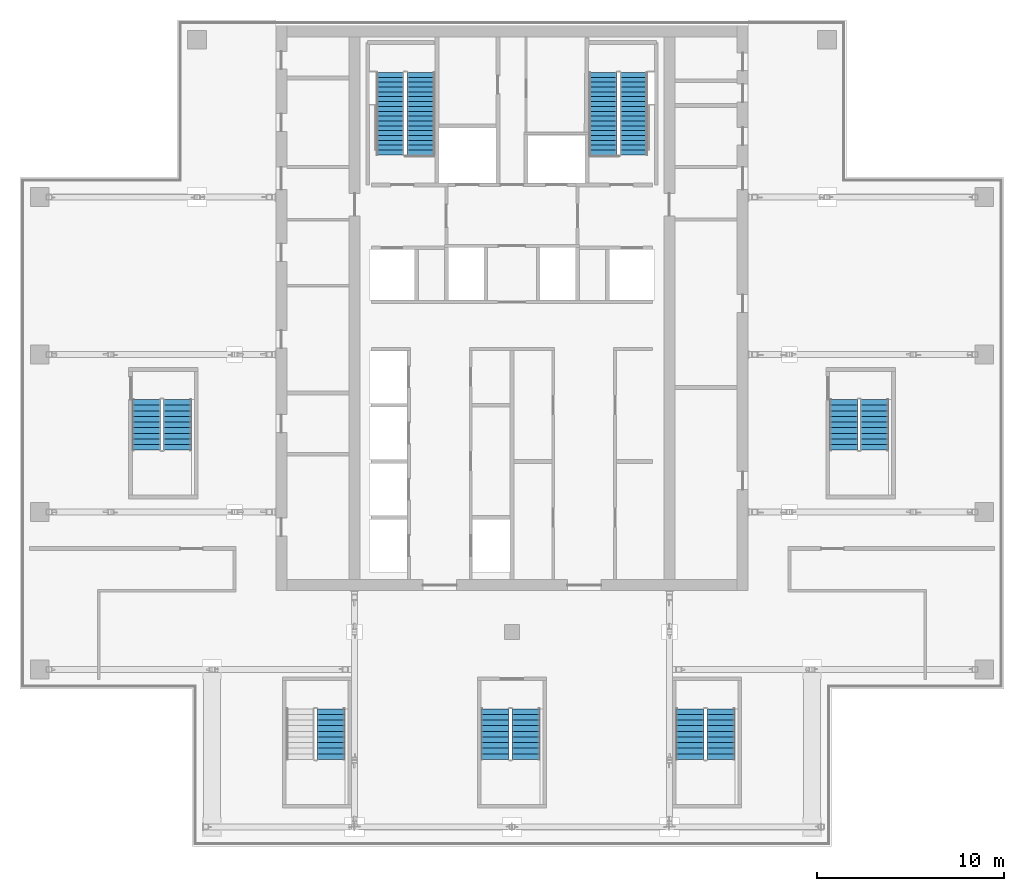
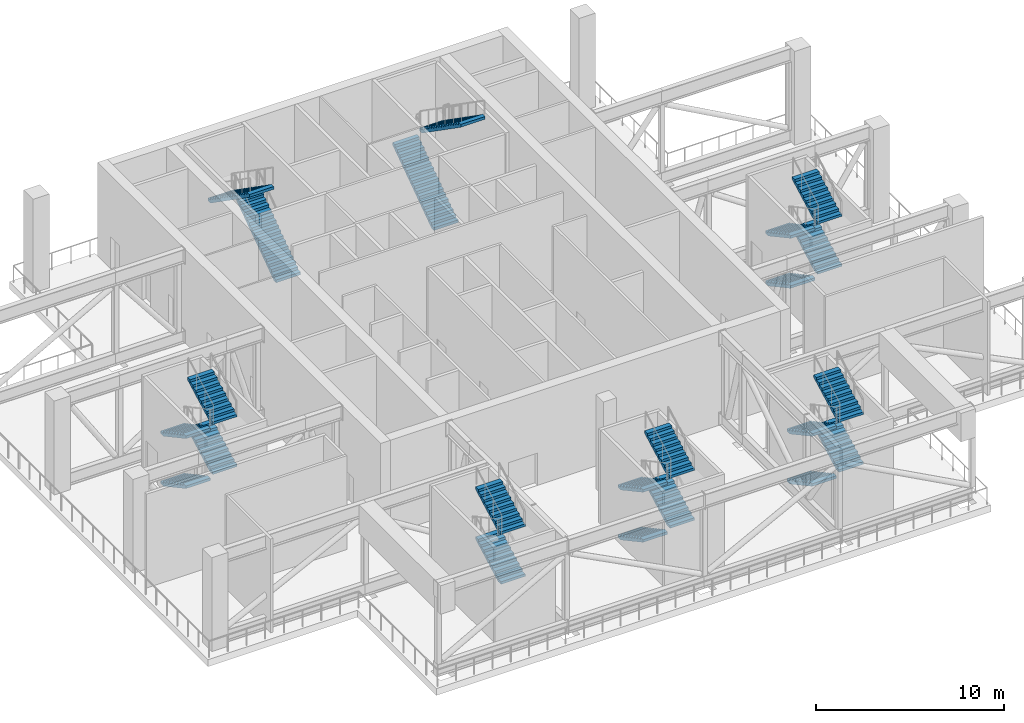
# One storey, part 20 of 24: 22 stair flights, 7 elements without a shape of their own.
"""IFC4 building model written with IfcOpenShell, lengths in metres."""

from ifc_helpers import new_model, si_unit, direction, frame, origin, place, context, subcontext, project, spatial, polyline, outline, extrude, material, type_object, element, aggregate, save


model = new_model("IFC4")

# Units and contexts
model_context = context("Model", 3, precision=1e-05, world=origin(), true_north=direction((0.0, 1.0)))
body_context = subcontext(model_context, "Body", "Model", "MODEL_VIEW")
ifc_project = project(units=[si_unit("LENGTHUNIT", "METRE"), si_unit("AREAUNIT", "SQUARE_METRE"), si_unit("VOLUMEUNIT", "CUBIC_METRE"), si_unit("PLANEANGLEUNIT", "RADIAN"), si_unit("MASSUNIT", "GRAM", prefix="KILO")], contexts=[model_context])

# Site, building, storey
site_placement = place(None, origin())
site = spatial("IfcSite", under=ifc_project, at=site_placement, CompositionType="ELEMENT")
building_placement = place(site_placement, origin())
building = spatial("IfcBuilding", under=site, at=building_placement, Name="Vermilion Ogive Tower", CompositionType="ELEMENT")
storey_placement = place(building_placement, frame((0.0, 0.0, 216.949951171875)))
storey = spatial("IfcBuildingStorey", under=building, at=storey_placement, Name="L57", CompositionType="ELEMENT", Elevation=216.949951171875)

# Stair, stair flights
ifc_material_1 = material(Name="Concrete B40", Category="concrete")
stair_type = type_object("IfcStairType", Name="Exit stair 1500", PredefinedType="HALF_TURN_STAIR", material=ifc_material_1)
stair_1_placement = place(storey_placement, origin())
stair_1 = element("IfcStair", 1, at=stair_1_placement, inside=storey, type_object=stair_type, Name="L57 Exit Stair ST1", PredefinedType="HALF_TURN_STAIR")
ifc_material_2 = material(Name="Concrete B40", Category="concrete")
stair_flight_type = type_object("IfcStairFlightType", Name="Stair flight 1500", PredefinedType="STRAIGHT", material=ifc_material_2)
stair_flight_1_placement = place(storey_placement, frame((-4.85009765625, 14.85009765625, 0.0), z_axis=(0.0, 0.0, 1.0), x_axis=(0.0, 1.0, 0.0)))
stair_flight_1 = element("IfcStairFlight", 2, at=stair_flight_1_placement, type_object=stair_flight_type, Name="ST1 flight 1", NumberOfRisers=18, NumberOfTreads=17, PredefinedType="STRAIGHT", RiserHeight=0.180555556, TreadLength=0.258823529, context=body_context, shape_type="SweptSolid", body=[
    extrude(outline(polyline([(0.0, 0.0), (0.0, 0.1806640625), (0.2587890625, 0.1806640625), (0.2587890625, 0.361083984375), (0.517578125, 0.361083984375), (0.517578125, 0.541748046875), (0.7763671875, 0.541748046875), (0.7763671875, 0.72216796875), (1.035400390625, 0.72216796875), (1.035400390625, 0.90283203125), (1.294189453125, 0.90283203125), (1.294189453125, 1.083251953125), (1.552978515625, 1.083251953125), (1.552978515625, 1.263916015625), (1.811767578125, 1.263916015625), (1.811767578125, 1.4443359375), (2.070556640625, 1.4443359375), (2.070556640625, 1.625), (2.329345703125, 1.625), (2.329345703125, 1.8056640625), (2.588134765625, 1.8056640625), (2.588134765625, 1.986083984375), (2.84716796875, 1.986083984375), (2.84716796875, 2.166748046875), (3.10595703125, 2.166748046875), (3.10595703125, 2.34716796875), (3.36474609375, 2.34716796875), (3.36474609375, 2.52783203125), (3.62353515625, 2.52783203125), (3.62353515625, 2.708251953125), (3.88232421875, 2.708251953125), (3.88232421875, 2.888916015625), (4.14111328125, 2.888916015625), (4.14111328125, 3.0693359375), (4.39990234375, 3.0693359375), (4.39990234375, 3.25), (4.39990234375, 2.88671875), (0.261962890625, 0.0), (0.0, 0.0)])), frame((0.0, 0.75, 0.0), z_axis=(0.0, -1.0, 0.0), x_axis=(1.0, 0.0, 0.0)), (0.0, 0.0, 1.0), 1.5),
])
stair_flight_2_placement = place(storey_placement, frame((-6.5, 19.25, 3.25), z_axis=(0.0, 0.0, 1.0), x_axis=(0.0, -1.0, 0.0)))
stair_flight_2 = element("IfcStairFlight", 3, at=stair_flight_2_placement, type_object=stair_flight_type, Name="ST1 flight 2", NumberOfRisers=18, NumberOfTreads=17, PredefinedType="STRAIGHT", RiserHeight=0.180555556, TreadLength=0.258823529, context=body_context, shape_type="SweptSolid", body=[
    extrude(outline(polyline([(0.0, 0.0), (0.0, 0.1806640625), (0.2587890625, 0.1806640625), (0.2587890625, 0.361083984375), (0.517578125, 0.361083984375), (0.517578125, 0.541748046875), (0.7763671875, 0.541748046875), (0.7763671875, 0.72216796875), (1.035400390625, 0.72216796875), (1.035400390625, 0.90283203125), (1.294189453125, 0.90283203125), (1.294189453125, 1.083251953125), (1.552978515625, 1.083251953125), (1.552978515625, 1.263916015625), (1.811767578125, 1.263916015625), (1.811767578125, 1.4443359375), (2.070556640625, 1.4443359375), (2.070556640625, 1.625), (2.329345703125, 1.625), (2.329345703125, 1.8056640625), (2.588134765625, 1.8056640625), (2.588134765625, 1.986083984375), (2.84716796875, 1.986083984375), (2.84716796875, 2.166748046875), (3.10595703125, 2.166748046875), (3.10595703125, 2.34716796875), (3.36474609375, 2.34716796875), (3.36474609375, 2.52783203125), (3.62353515625, 2.52783203125), (3.62353515625, 2.708251953125), (3.88232421875, 2.708251953125), (3.88232421875, 2.888916015625), (4.14111328125, 2.888916015625), (4.14111328125, 3.0693359375), (4.39990234375, 3.0693359375), (4.39990234375, 3.25), (4.39990234375, 2.88671875), (0.261962890625, 0.0), (0.0, 0.0)])), frame((0.0, 0.75, 0.0), z_axis=(0.0, -1.0, 0.0), x_axis=(1.0, 0.0, 0.0)), (0.0, 0.0, 1.0), 1.5),
])
aggregate(stair_1, [stair_flight_1, stair_flight_2])

stair_2_placement = place(storey_placement, origin())
stair_2 = element("IfcStair", 4, at=stair_2_placement, inside=storey, type_object=stair_type, Name="L57 Exit Stair ST2", PredefinedType="HALF_TURN_STAIR")
stair_flight_3_placement = place(storey_placement, frame((4.85009765625, 14.85009765625, 0.0), z_axis=(0.0, 0.0, 1.0), x_axis=(0.0, 1.0, 0.0)))
stair_flight_3 = element("IfcStairFlight", 5, at=stair_flight_3_placement, type_object=stair_flight_type, Name="ST2 flight 1", NumberOfRisers=18, NumberOfTreads=17, PredefinedType="STRAIGHT", RiserHeight=0.180555556, TreadLength=0.258823529, context=body_context, shape_type="SweptSolid", body=[
    extrude(outline(polyline([(0.0, 0.0), (0.0, 0.1806640625), (0.2587890625, 0.1806640625), (0.2587890625, 0.361083984375), (0.517578125, 0.361083984375), (0.517578125, 0.541748046875), (0.7763671875, 0.541748046875), (0.7763671875, 0.72216796875), (1.035400390625, 0.72216796875), (1.035400390625, 0.90283203125), (1.294189453125, 0.90283203125), (1.294189453125, 1.083251953125), (1.552978515625, 1.083251953125), (1.552978515625, 1.263916015625), (1.811767578125, 1.263916015625), (1.811767578125, 1.4443359375), (2.070556640625, 1.4443359375), (2.070556640625, 1.625), (2.329345703125, 1.625), (2.329345703125, 1.8056640625), (2.588134765625, 1.8056640625), (2.588134765625, 1.986083984375), (2.84716796875, 1.986083984375), (2.84716796875, 2.166748046875), (3.10595703125, 2.166748046875), (3.10595703125, 2.34716796875), (3.36474609375, 2.34716796875), (3.36474609375, 2.52783203125), (3.62353515625, 2.52783203125), (3.62353515625, 2.708251953125), (3.88232421875, 2.708251953125), (3.88232421875, 2.888916015625), (4.14111328125, 2.888916015625), (4.14111328125, 3.0693359375), (4.39990234375, 3.0693359375), (4.39990234375, 3.25), (4.39990234375, 2.88671875), (0.261962890625, 0.0), (0.0, 0.0)])), frame((0.0, 0.75, 0.0), z_axis=(0.0, -1.0, 0.0), x_axis=(1.0, 0.0, 0.0)), (0.0, 0.0, 1.0), 1.5),
])
stair_flight_4_placement = place(storey_placement, frame((6.5, 19.25, 3.25), z_axis=(0.0, 0.0, 1.0), x_axis=(0.0, -1.0, 0.0)))
stair_flight_4 = element("IfcStairFlight", 6, at=stair_flight_4_placement, type_object=stair_flight_type, Name="ST2 flight 2", NumberOfRisers=18, NumberOfTreads=17, PredefinedType="STRAIGHT", RiserHeight=0.180555556, TreadLength=0.258823529, context=body_context, shape_type="SweptSolid", body=[
    extrude(outline(polyline([(0.0, 0.0), (0.0, 0.1806640625), (0.2587890625, 0.1806640625), (0.2587890625, 0.361083984375), (0.517578125, 0.361083984375), (0.517578125, 0.541748046875), (0.7763671875, 0.541748046875), (0.7763671875, 0.72216796875), (1.035400390625, 0.72216796875), (1.035400390625, 0.90283203125), (1.294189453125, 0.90283203125), (1.294189453125, 1.083251953125), (1.552978515625, 1.083251953125), (1.552978515625, 1.263916015625), (1.811767578125, 1.263916015625), (1.811767578125, 1.4443359375), (2.070556640625, 1.4443359375), (2.070556640625, 1.625), (2.329345703125, 1.625), (2.329345703125, 1.8056640625), (2.588134765625, 1.8056640625), (2.588134765625, 1.986083984375), (2.84716796875, 1.986083984375), (2.84716796875, 2.166748046875), (3.10595703125, 2.166748046875), (3.10595703125, 2.34716796875), (3.36474609375, 2.34716796875), (3.36474609375, 2.52783203125), (3.62353515625, 2.52783203125), (3.62353515625, 2.708251953125), (3.88232421875, 2.708251953125), (3.88232421875, 2.888916015625), (4.14111328125, 2.888916015625), (4.14111328125, 3.0693359375), (4.39990234375, 3.0693359375), (4.39990234375, 3.25), (4.39990234375, 2.88671875), (0.261962890625, 0.0), (0.0, 0.0)])), frame((0.0, 0.75, 0.0), z_axis=(0.0, -1.0, 0.0), x_axis=(1.0, 0.0, 0.0)), (0.0, 0.0, 1.0), 1.5),
])
aggregate(stair_2, [stair_flight_3, stair_flight_4])

stair_3_placement = place(storey_placement, origin())
stair_3 = element("IfcStair", 7, at=stair_3_placement, inside=storey, type_object=stair_type, Name="L57 Exit Stair ST3", PredefinedType="HALF_TURN_STAIR")
stair_flight_5_placement = place(storey_placement, frame((-9.64990234375, -17.39990234375, 1.625), z_axis=(0.0, 0.0, 1.0), x_axis=(0.0, 1.0, 0.0)))
stair_flight_5 = element("IfcStairFlight", 8, at=stair_flight_5_placement, type_object=stair_flight_type, Name="ST3 flight 2", NumberOfRisers=10, NumberOfTreads=9, PredefinedType="STRAIGHT", RiserHeight=0.1625, TreadLength=0.3, context=body_context, shape_type="SweptSolid", body=[
    extrude(outline(polyline([(0.0, 0.0), (0.0, 0.16259765625), (0.300048828125, 0.16259765625), (0.300048828125, 0.324951171875), (0.60009765625, 0.324951171875), (0.60009765625, 0.487548828125), (0.89990234375, 0.487548828125), (0.89990234375, 0.64990234375), (1.199951171875, 0.64990234375), (1.199951171875, 0.8125), (1.5, 0.8125), (1.5, 0.97509765625), (1.800048828125, 0.97509765625), (1.800048828125, 1.137451171875), (2.10009765625, 1.137451171875), (2.10009765625, 1.300048828125), (2.39990234375, 1.300048828125), (2.39990234375, 1.46240234375), (2.699951171875, 1.46240234375), (2.699951171875, 1.625), (2.699951171875, 1.2919921875), (0.314697265625, 0.0), (0.0, 0.0)])), frame((0.0, 0.75, 0.0), z_axis=(0.0, -1.0, 0.0), x_axis=(1.0, 0.0, 0.0)), (0.0, 0.0, 1.0), 1.5),
])
stair_flight_6_placement = place(storey_placement, frame((-9.64990234375, -17.39990234375, 4.875), z_axis=(0.0, 0.0, 1.0), x_axis=(0.0, 1.0, 0.0)))
stair_flight_6 = element("IfcStairFlight", 9, at=stair_flight_6_placement, type_object=stair_flight_type, Name="ST3 flight 4", NumberOfRisers=10, NumberOfTreads=9, PredefinedType="STRAIGHT", RiserHeight=0.1625, TreadLength=0.3, context=body_context, shape_type="SweptSolid", body=[
    extrude(outline(polyline([(0.0, 0.0), (0.0, 0.16259765625), (0.300048828125, 0.16259765625), (0.300048828125, 0.324951171875), (0.60009765625, 0.324951171875), (0.60009765625, 0.487548828125), (0.89990234375, 0.487548828125), (0.89990234375, 0.64990234375), (1.199951171875, 0.64990234375), (1.199951171875, 0.8125), (1.5, 0.8125), (1.5, 0.97509765625), (1.800048828125, 0.97509765625), (1.800048828125, 1.137451171875), (2.10009765625, 1.137451171875), (2.10009765625, 1.300048828125), (2.39990234375, 1.300048828125), (2.39990234375, 1.46240234375), (2.699951171875, 1.46240234375), (2.699951171875, 1.625), (2.699951171875, 1.2919921875), (0.314697265625, 0.0), (0.0, 0.0)])), frame((0.0, 0.75, 0.0), z_axis=(0.0, -1.0, 0.0), x_axis=(1.0, 0.0, 0.0)), (0.0, 0.0, 1.0), 1.5),
])
aggregate(stair_3, [stair_flight_5, stair_flight_6])

stair_4_placement = place(storey_placement, origin())
stair_4 = element("IfcStair", 10, at=stair_4_placement, inside=storey, type_object=stair_type, Name="L57 Exit Stair ST4", PredefinedType="HALF_TURN_STAIR")
stair_flight_7_placement = place(storey_placement, frame((-0.89990234375, -14.699951171875, 0.0), z_axis=(0.0, 0.0, 1.0), x_axis=(0.0, -1.0, 0.0)))
stair_flight_7 = element("IfcStairFlight", 11, at=stair_flight_7_placement, type_object=stair_flight_type, Name="ST4 flight 1", NumberOfRisers=10, NumberOfTreads=9, PredefinedType="STRAIGHT", RiserHeight=0.1625, TreadLength=0.3, context=body_context, shape_type="SweptSolid", body=[
    extrude(outline(polyline([(0.0, 0.0), (0.0, 0.16259765625), (0.300048828125, 0.16259765625), (0.300048828125, 0.324951171875), (0.60009765625, 0.324951171875), (0.60009765625, 0.487548828125), (0.89990234375, 0.487548828125), (0.89990234375, 0.64990234375), (1.199951171875, 0.64990234375), (1.199951171875, 0.8125), (1.5, 0.8125), (1.5, 0.97509765625), (1.800048828125, 0.97509765625), (1.800048828125, 1.137451171875), (2.10009765625, 1.137451171875), (2.10009765625, 1.300048828125), (2.39990234375, 1.300048828125), (2.39990234375, 1.46240234375), (2.699951171875, 1.46240234375), (2.699951171875, 1.625), (2.699951171875, 1.2919921875), (0.314697265625, 0.0), (0.0, 0.0)])), frame((0.0, 0.75, 0.0), z_axis=(0.0, -1.0, 0.0), x_axis=(1.0, 0.0, 0.0)), (0.0, 0.0, 1.0), 1.5),
])
stair_flight_8_placement = place(storey_placement, frame((0.75, -17.39990234375, 1.625), z_axis=(0.0, 0.0, 1.0), x_axis=(0.0, 1.0, 0.0)))
stair_flight_8 = element("IfcStairFlight", 12, at=stair_flight_8_placement, type_object=stair_flight_type, Name="ST4 flight 2", NumberOfRisers=10, NumberOfTreads=9, PredefinedType="STRAIGHT", RiserHeight=0.1625, TreadLength=0.3, context=body_context, shape_type="SweptSolid", body=[
    extrude(outline(polyline([(0.0, 0.0), (0.0, 0.16259765625), (0.300048828125, 0.16259765625), (0.300048828125, 0.324951171875), (0.60009765625, 0.324951171875), (0.60009765625, 0.487548828125), (0.89990234375, 0.487548828125), (0.89990234375, 0.64990234375), (1.199951171875, 0.64990234375), (1.199951171875, 0.8125), (1.5, 0.8125), (1.5, 0.97509765625), (1.800048828125, 0.97509765625), (1.800048828125, 1.137451171875), (2.10009765625, 1.137451171875), (2.10009765625, 1.300048828125), (2.39990234375, 1.300048828125), (2.39990234375, 1.46240234375), (2.699951171875, 1.46240234375), (2.699951171875, 1.625), (2.699951171875, 1.2919921875), (0.314697265625, 0.0), (0.0, 0.0)])), frame((0.0, 0.75, 0.0), z_axis=(0.0, -1.0, 0.0), x_axis=(1.0, 0.0, 0.0)), (0.0, 0.0, 1.0), 1.5),
])
stair_flight_9_placement = place(storey_placement, frame((-0.89990234375, -14.699951171875, 3.25), z_axis=(0.0, 0.0, 1.0), x_axis=(0.0, -1.0, 0.0)))
stair_flight_9 = element("IfcStairFlight", 13, at=stair_flight_9_placement, type_object=stair_flight_type, Name="ST4 flight 3", NumberOfRisers=10, NumberOfTreads=9, PredefinedType="STRAIGHT", RiserHeight=0.1625, TreadLength=0.3, context=body_context, shape_type="SweptSolid", body=[
    extrude(outline(polyline([(0.0, 0.0), (0.0, 0.16259765625), (0.300048828125, 0.16259765625), (0.300048828125, 0.324951171875), (0.60009765625, 0.324951171875), (0.60009765625, 0.487548828125), (0.89990234375, 0.487548828125), (0.89990234375, 0.64990234375), (1.199951171875, 0.64990234375), (1.199951171875, 0.8125), (1.5, 0.8125), (1.5, 0.97509765625), (1.800048828125, 0.97509765625), (1.800048828125, 1.137451171875), (2.10009765625, 1.137451171875), (2.10009765625, 1.300048828125), (2.39990234375, 1.300048828125), (2.39990234375, 1.46240234375), (2.699951171875, 1.46240234375), (2.699951171875, 1.625), (2.699951171875, 1.2919921875), (0.314697265625, 0.0), (0.0, 0.0)])), frame((0.0, 0.75, 0.0), z_axis=(0.0, -1.0, 0.0), x_axis=(1.0, 0.0, 0.0)), (0.0, 0.0, 1.0), 1.5),
])
stair_flight_10_placement = place(storey_placement, frame((0.75, -17.39990234375, 4.875), z_axis=(0.0, 0.0, 1.0), x_axis=(0.0, 1.0, 0.0)))
stair_flight_10 = element("IfcStairFlight", 14, at=stair_flight_10_placement, type_object=stair_flight_type, Name="ST4 flight 4", NumberOfRisers=10, NumberOfTreads=9, PredefinedType="STRAIGHT", RiserHeight=0.1625, TreadLength=0.3, context=body_context, shape_type="SweptSolid", body=[
    extrude(outline(polyline([(0.0, 0.0), (0.0, 0.16259765625), (0.300048828125, 0.16259765625), (0.300048828125, 0.324951171875), (0.60009765625, 0.324951171875), (0.60009765625, 0.487548828125), (0.89990234375, 0.487548828125), (0.89990234375, 0.64990234375), (1.199951171875, 0.64990234375), (1.199951171875, 0.8125), (1.5, 0.8125), (1.5, 0.97509765625), (1.800048828125, 0.97509765625), (1.800048828125, 1.137451171875), (2.10009765625, 1.137451171875), (2.10009765625, 1.300048828125), (2.39990234375, 1.300048828125), (2.39990234375, 1.46240234375), (2.699951171875, 1.46240234375), (2.699951171875, 1.625), (2.699951171875, 1.2919921875), (0.314697265625, 0.0), (0.0, 0.0)])), frame((0.0, 0.75, 0.0), z_axis=(0.0, -1.0, 0.0), x_axis=(1.0, 0.0, 0.0)), (0.0, 0.0, 1.0), 1.5),
])
aggregate(stair_4, [stair_flight_7, stair_flight_8, stair_flight_9, stair_flight_10])

stair_5_placement = place(storey_placement, origin())
stair_5 = element("IfcStair", 15, at=stair_5_placement, inside=storey, type_object=stair_type, Name="L57 Exit Stair ST5", PredefinedType="HALF_TURN_STAIR")
stair_flight_11_placement = place(storey_placement, frame((9.5, -14.699951171875, 0.0), z_axis=(0.0, 0.0, 1.0), x_axis=(0.0, -1.0, 0.0)))
stair_flight_11 = element("IfcStairFlight", 16, at=stair_flight_11_placement, type_object=stair_flight_type, Name="ST5 flight 1", NumberOfRisers=10, NumberOfTreads=9, PredefinedType="STRAIGHT", RiserHeight=0.1625, TreadLength=0.3, context=body_context, shape_type="SweptSolid", body=[
    extrude(outline(polyline([(0.0, 0.0), (0.0, 0.16259765625), (0.300048828125, 0.16259765625), (0.300048828125, 0.324951171875), (0.60009765625, 0.324951171875), (0.60009765625, 0.487548828125), (0.89990234375, 0.487548828125), (0.89990234375, 0.64990234375), (1.199951171875, 0.64990234375), (1.199951171875, 0.8125), (1.5, 0.8125), (1.5, 0.97509765625), (1.800048828125, 0.97509765625), (1.800048828125, 1.137451171875), (2.10009765625, 1.137451171875), (2.10009765625, 1.300048828125), (2.39990234375, 1.300048828125), (2.39990234375, 1.46240234375), (2.699951171875, 1.46240234375), (2.699951171875, 1.625), (2.699951171875, 1.2919921875), (0.314697265625, 0.0), (0.0, 0.0)])), frame((0.0, 0.75, 0.0), z_axis=(0.0, -1.0, 0.0), x_axis=(1.0, 0.0, 0.0)), (0.0, 0.0, 1.0), 1.5),
])
stair_flight_12_placement = place(storey_placement, frame((11.14990234375, -17.39990234375, 1.625), z_axis=(0.0, 0.0, 1.0), x_axis=(0.0, 1.0, 0.0)))
stair_flight_12 = element("IfcStairFlight", 17, at=stair_flight_12_placement, type_object=stair_flight_type, Name="ST5 flight 2", NumberOfRisers=10, NumberOfTreads=9, PredefinedType="STRAIGHT", RiserHeight=0.1625, TreadLength=0.3, context=body_context, shape_type="SweptSolid", body=[
    extrude(outline(polyline([(0.0, 0.0), (0.0, 0.16259765625), (0.300048828125, 0.16259765625), (0.300048828125, 0.324951171875), (0.60009765625, 0.324951171875), (0.60009765625, 0.487548828125), (0.89990234375, 0.487548828125), (0.89990234375, 0.64990234375), (1.199951171875, 0.64990234375), (1.199951171875, 0.8125), (1.5, 0.8125), (1.5, 0.97509765625), (1.800048828125, 0.97509765625), (1.800048828125, 1.137451171875), (2.10009765625, 1.137451171875), (2.10009765625, 1.300048828125), (2.39990234375, 1.300048828125), (2.39990234375, 1.46240234375), (2.699951171875, 1.46240234375), (2.699951171875, 1.625), (2.699951171875, 1.2919921875), (0.314697265625, 0.0), (0.0, 0.0)])), frame((0.0, 0.75, 0.0), z_axis=(0.0, -1.0, 0.0), x_axis=(1.0, 0.0, 0.0)), (0.0, 0.0, 1.0), 1.5),
])
stair_flight_13_placement = place(storey_placement, frame((9.5, -14.699951171875, 3.25), z_axis=(0.0, 0.0, 1.0), x_axis=(0.0, -1.0, 0.0)))
stair_flight_13 = element("IfcStairFlight", 18, at=stair_flight_13_placement, type_object=stair_flight_type, Name="ST5 flight 3", NumberOfRisers=10, NumberOfTreads=9, PredefinedType="STRAIGHT", RiserHeight=0.1625, TreadLength=0.3, context=body_context, shape_type="SweptSolid", body=[
    extrude(outline(polyline([(0.0, 0.0), (0.0, 0.16259765625), (0.300048828125, 0.16259765625), (0.300048828125, 0.324951171875), (0.60009765625, 0.324951171875), (0.60009765625, 0.487548828125), (0.89990234375, 0.487548828125), (0.89990234375, 0.64990234375), (1.199951171875, 0.64990234375), (1.199951171875, 0.8125), (1.5, 0.8125), (1.5, 0.97509765625), (1.800048828125, 0.97509765625), (1.800048828125, 1.137451171875), (2.10009765625, 1.137451171875), (2.10009765625, 1.300048828125), (2.39990234375, 1.300048828125), (2.39990234375, 1.46240234375), (2.699951171875, 1.46240234375), (2.699951171875, 1.625), (2.699951171875, 1.2919921875), (0.314697265625, 0.0), (0.0, 0.0)])), frame((0.0, 0.75, 0.0), z_axis=(0.0, -1.0, 0.0), x_axis=(1.0, 0.0, 0.0)), (0.0, 0.0, 1.0), 1.5),
])
stair_flight_14_placement = place(storey_placement, frame((11.14990234375, -17.39990234375, 4.875), z_axis=(0.0, 0.0, 1.0), x_axis=(0.0, 1.0, 0.0)))
stair_flight_14 = element("IfcStairFlight", 19, at=stair_flight_14_placement, type_object=stair_flight_type, Name="ST5 flight 4", NumberOfRisers=10, NumberOfTreads=9, PredefinedType="STRAIGHT", RiserHeight=0.1625, TreadLength=0.3, context=body_context, shape_type="SweptSolid", body=[
    extrude(outline(polyline([(0.0, 0.0), (0.0, 0.16259765625), (0.300048828125, 0.16259765625), (0.300048828125, 0.324951171875), (0.60009765625, 0.324951171875), (0.60009765625, 0.487548828125), (0.89990234375, 0.487548828125), (0.89990234375, 0.64990234375), (1.199951171875, 0.64990234375), (1.199951171875, 0.8125), (1.5, 0.8125), (1.5, 0.97509765625), (1.800048828125, 0.97509765625), (1.800048828125, 1.137451171875), (2.10009765625, 1.137451171875), (2.10009765625, 1.300048828125), (2.39990234375, 1.300048828125), (2.39990234375, 1.46240234375), (2.699951171875, 1.46240234375), (2.699951171875, 1.625), (2.699951171875, 1.2919921875), (0.314697265625, 0.0), (0.0, 0.0)])), frame((0.0, 0.75, 0.0), z_axis=(0.0, -1.0, 0.0), x_axis=(1.0, 0.0, 0.0)), (0.0, 0.0, 1.0), 1.5),
])
aggregate(stair_5, [stair_flight_11, stair_flight_12, stair_flight_13, stair_flight_14])

stair_6_placement = place(storey_placement, origin())
stair_6 = element("IfcStair", 20, at=stair_6_placement, inside=storey, type_object=stair_type, Name="L57 Exit Stair ST8", PredefinedType="HALF_TURN_STAIR")
stair_flight_15_placement = place(storey_placement, frame((17.699951171875, 1.800048828125, 0.0), z_axis=(0.0, 0.0, 1.0), x_axis=(0.0, -1.0, 0.0)))
stair_flight_15 = element("IfcStairFlight", 21, at=stair_flight_15_placement, type_object=stair_flight_type, Name="ST8 flight 1", NumberOfRisers=10, NumberOfTreads=9, PredefinedType="STRAIGHT", RiserHeight=0.1625, TreadLength=0.3, context=body_context, shape_type="SweptSolid", body=[
    extrude(outline(polyline([(0.0, 0.0), (0.0, 0.16259765625), (0.300048828125, 0.16259765625), (0.300048828125, 0.324951171875), (0.60009765625, 0.324951171875), (0.60009765625, 0.487548828125), (0.89990234375, 0.487548828125), (0.89990234375, 0.64990234375), (1.199951171875, 0.64990234375), (1.199951171875, 0.8125), (1.5, 0.8125), (1.5, 0.97509765625), (1.800048828125, 0.97509765625), (1.800048828125, 1.137451171875), (2.10009765625, 1.137451171875), (2.10009765625, 1.300048828125), (2.39990234375, 1.300048828125), (2.39990234375, 1.46240234375), (2.699951171875, 1.46240234375), (2.699951171875, 1.625), (2.699951171875, 1.2919921875), (0.314697265625, 0.0), (0.0, 0.0)])), frame((0.0, 0.75, 0.0), z_axis=(0.0, -1.0, 0.0), x_axis=(1.0, 0.0, 0.0)), (0.0, 0.0, 1.0), 1.5),
])
stair_flight_16_placement = place(storey_placement, frame((19.35009765625, -0.89990234375, 1.625), z_axis=(0.0, 0.0, 1.0), x_axis=(0.0, 1.0, 0.0)))
stair_flight_16 = element("IfcStairFlight", 22, at=stair_flight_16_placement, type_object=stair_flight_type, Name="ST8 flight 2", NumberOfRisers=10, NumberOfTreads=9, PredefinedType="STRAIGHT", RiserHeight=0.1625, TreadLength=0.3, context=body_context, shape_type="SweptSolid", body=[
    extrude(outline(polyline([(0.0, 0.0), (0.0, 0.16259765625), (0.300048828125, 0.16259765625), (0.300048828125, 0.324951171875), (0.60009765625, 0.324951171875), (0.60009765625, 0.487548828125), (0.89990234375, 0.487548828125), (0.89990234375, 0.64990234375), (1.199951171875, 0.64990234375), (1.199951171875, 0.8125), (1.5, 0.8125), (1.5, 0.97509765625), (1.800048828125, 0.97509765625), (1.800048828125, 1.137451171875), (2.10009765625, 1.137451171875), (2.10009765625, 1.300048828125), (2.39990234375, 1.300048828125), (2.39990234375, 1.46240234375), (2.699951171875, 1.46240234375), (2.699951171875, 1.625), (2.699951171875, 1.2919921875), (0.314697265625, 0.0), (0.0, 0.0)])), frame((0.0, 0.75, 0.0), z_axis=(0.0, -1.0, 0.0), x_axis=(1.0, 0.0, 0.0)), (0.0, 0.0, 1.0), 1.5),
])
stair_flight_17_placement = place(storey_placement, frame((17.699951171875, 1.800048828125, 3.25), z_axis=(0.0, 0.0, 1.0), x_axis=(0.0, -1.0, 0.0)))
stair_flight_17 = element("IfcStairFlight", 23, at=stair_flight_17_placement, type_object=stair_flight_type, Name="ST8 flight 3", NumberOfRisers=10, NumberOfTreads=9, PredefinedType="STRAIGHT", RiserHeight=0.1625, TreadLength=0.3, context=body_context, shape_type="SweptSolid", body=[
    extrude(outline(polyline([(0.0, 0.0), (0.0, 0.16259765625), (0.300048828125, 0.16259765625), (0.300048828125, 0.324951171875), (0.60009765625, 0.324951171875), (0.60009765625, 0.487548828125), (0.89990234375, 0.487548828125), (0.89990234375, 0.64990234375), (1.199951171875, 0.64990234375), (1.199951171875, 0.8125), (1.5, 0.8125), (1.5, 0.97509765625), (1.800048828125, 0.97509765625), (1.800048828125, 1.137451171875), (2.10009765625, 1.137451171875), (2.10009765625, 1.300048828125), (2.39990234375, 1.300048828125), (2.39990234375, 1.46240234375), (2.699951171875, 1.46240234375), (2.699951171875, 1.625), (2.699951171875, 1.2919921875), (0.314697265625, 0.0), (0.0, 0.0)])), frame((0.0, 0.75, 0.0), z_axis=(0.0, -1.0, 0.0), x_axis=(1.0, 0.0, 0.0)), (0.0, 0.0, 1.0), 1.5),
])
stair_flight_18_placement = place(storey_placement, frame((19.35009765625, -0.89990234375, 4.875), z_axis=(0.0, 0.0, 1.0), x_axis=(0.0, 1.0, 0.0)))
stair_flight_18 = element("IfcStairFlight", 24, at=stair_flight_18_placement, type_object=stair_flight_type, Name="ST8 flight 4", NumberOfRisers=10, NumberOfTreads=9, PredefinedType="STRAIGHT", RiserHeight=0.1625, TreadLength=0.3, context=body_context, shape_type="SweptSolid", body=[
    extrude(outline(polyline([(0.0, 0.0), (0.0, 0.16259765625), (0.300048828125, 0.16259765625), (0.300048828125, 0.324951171875), (0.60009765625, 0.324951171875), (0.60009765625, 0.487548828125), (0.89990234375, 0.487548828125), (0.89990234375, 0.64990234375), (1.199951171875, 0.64990234375), (1.199951171875, 0.8125), (1.5, 0.8125), (1.5, 0.97509765625), (1.800048828125, 0.97509765625), (1.800048828125, 1.137451171875), (2.10009765625, 1.137451171875), (2.10009765625, 1.300048828125), (2.39990234375, 1.300048828125), (2.39990234375, 1.46240234375), (2.699951171875, 1.46240234375), (2.699951171875, 1.625), (2.699951171875, 1.2919921875), (0.314697265625, 0.0), (0.0, 0.0)])), frame((0.0, 0.75, 0.0), z_axis=(0.0, -1.0, 0.0), x_axis=(1.0, 0.0, 0.0)), (0.0, 0.0, 1.0), 1.5),
])
aggregate(stair_6, [stair_flight_15, stair_flight_16, stair_flight_17, stair_flight_18])

stair_7_placement = place(storey_placement, origin())
stair_7 = element("IfcStair", 25, at=stair_7_placement, inside=storey, type_object=stair_type, Name="L57 Exit Stair ST9", PredefinedType="HALF_TURN_STAIR")
stair_flight_19_placement = place(storey_placement, frame((-19.5, 1.800048828125, 0.0), z_axis=(0.0, 0.0, 1.0), x_axis=(0.0, -1.0, 0.0)))
stair_flight_19 = element("IfcStairFlight", 26, at=stair_flight_19_placement, type_object=stair_flight_type, Name="ST9 flight 1", NumberOfRisers=10, NumberOfTreads=9, PredefinedType="STRAIGHT", RiserHeight=0.1625, TreadLength=0.3, context=body_context, shape_type="SweptSolid", body=[
    extrude(outline(polyline([(0.0, 0.0), (0.0, 0.16259765625), (0.300048828125, 0.16259765625), (0.300048828125, 0.324951171875), (0.60009765625, 0.324951171875), (0.60009765625, 0.487548828125), (0.89990234375, 0.487548828125), (0.89990234375, 0.64990234375), (1.199951171875, 0.64990234375), (1.199951171875, 0.8125), (1.5, 0.8125), (1.5, 0.97509765625), (1.800048828125, 0.97509765625), (1.800048828125, 1.137451171875), (2.10009765625, 1.137451171875), (2.10009765625, 1.300048828125), (2.39990234375, 1.300048828125), (2.39990234375, 1.46240234375), (2.699951171875, 1.46240234375), (2.699951171875, 1.625), (2.699951171875, 1.2919921875), (0.314697265625, 0.0), (0.0, 0.0)])), frame((0.0, 0.75, 0.0), z_axis=(0.0, -1.0, 0.0), x_axis=(1.0, 0.0, 0.0)), (0.0, 0.0, 1.0), 1.5),
])
stair_flight_20_placement = place(storey_placement, frame((-17.85009765625, -0.89990234375, 1.625), z_axis=(0.0, 0.0, 1.0), x_axis=(0.0, 1.0, 0.0)))
stair_flight_20 = element("IfcStairFlight", 27, at=stair_flight_20_placement, type_object=stair_flight_type, Name="ST9 flight 2", NumberOfRisers=10, NumberOfTreads=9, PredefinedType="STRAIGHT", RiserHeight=0.1625, TreadLength=0.3, context=body_context, shape_type="SweptSolid", body=[
    extrude(outline(polyline([(0.0, 0.0), (0.0, 0.16259765625), (0.300048828125, 0.16259765625), (0.300048828125, 0.324951171875), (0.60009765625, 0.324951171875), (0.60009765625, 0.487548828125), (0.89990234375, 0.487548828125), (0.89990234375, 0.64990234375), (1.199951171875, 0.64990234375), (1.199951171875, 0.8125), (1.5, 0.8125), (1.5, 0.97509765625), (1.800048828125, 0.97509765625), (1.800048828125, 1.137451171875), (2.10009765625, 1.137451171875), (2.10009765625, 1.300048828125), (2.39990234375, 1.300048828125), (2.39990234375, 1.46240234375), (2.699951171875, 1.46240234375), (2.699951171875, 1.625), (2.699951171875, 1.2919921875), (0.314697265625, 0.0), (0.0, 0.0)])), frame((0.0, 0.75, 0.0), z_axis=(0.0, -1.0, 0.0), x_axis=(1.0, 0.0, 0.0)), (0.0, 0.0, 1.0), 1.5),
])
stair_flight_21_placement = place(storey_placement, frame((-19.5, 1.800048828125, 3.25), z_axis=(0.0, 0.0, 1.0), x_axis=(0.0, -1.0, 0.0)))
stair_flight_21 = element("IfcStairFlight", 28, at=stair_flight_21_placement, type_object=stair_flight_type, Name="ST9 flight 3", NumberOfRisers=10, NumberOfTreads=9, PredefinedType="STRAIGHT", RiserHeight=0.1625, TreadLength=0.3, context=body_context, shape_type="SweptSolid", body=[
    extrude(outline(polyline([(0.0, 0.0), (0.0, 0.16259765625), (0.300048828125, 0.16259765625), (0.300048828125, 0.324951171875), (0.60009765625, 0.324951171875), (0.60009765625, 0.487548828125), (0.89990234375, 0.487548828125), (0.89990234375, 0.64990234375), (1.199951171875, 0.64990234375), (1.199951171875, 0.8125), (1.5, 0.8125), (1.5, 0.97509765625), (1.800048828125, 0.97509765625), (1.800048828125, 1.137451171875), (2.10009765625, 1.137451171875), (2.10009765625, 1.300048828125), (2.39990234375, 1.300048828125), (2.39990234375, 1.46240234375), (2.699951171875, 1.46240234375), (2.699951171875, 1.625), (2.699951171875, 1.2919921875), (0.314697265625, 0.0), (0.0, 0.0)])), frame((0.0, 0.75, 0.0), z_axis=(0.0, -1.0, 0.0), x_axis=(1.0, 0.0, 0.0)), (0.0, 0.0, 1.0), 1.5),
])
stair_flight_22_placement = place(storey_placement, frame((-17.85009765625, -0.89990234375, 4.875), z_axis=(0.0, 0.0, 1.0), x_axis=(0.0, 1.0, 0.0)))
stair_flight_22 = element("IfcStairFlight", 29, at=stair_flight_22_placement, type_object=stair_flight_type, Name="ST9 flight 4", NumberOfRisers=10, NumberOfTreads=9, PredefinedType="STRAIGHT", RiserHeight=0.1625, TreadLength=0.3, context=body_context, shape_type="SweptSolid", body=[
    extrude(outline(polyline([(0.0, 0.0), (0.0, 0.16259765625), (0.300048828125, 0.16259765625), (0.300048828125, 0.324951171875), (0.60009765625, 0.324951171875), (0.60009765625, 0.487548828125), (0.89990234375, 0.487548828125), (0.89990234375, 0.64990234375), (1.199951171875, 0.64990234375), (1.199951171875, 0.8125), (1.5, 0.8125), (1.5, 0.97509765625), (1.800048828125, 0.97509765625), (1.800048828125, 1.137451171875), (2.10009765625, 1.137451171875), (2.10009765625, 1.300048828125), (2.39990234375, 1.300048828125), (2.39990234375, 1.46240234375), (2.699951171875, 1.46240234375), (2.699951171875, 1.625), (2.699951171875, 1.2919921875), (0.314697265625, 0.0), (0.0, 0.0)])), frame((0.0, 0.75, 0.0), z_axis=(0.0, -1.0, 0.0), x_axis=(1.0, 0.0, 0.0)), (0.0, 0.0, 1.0), 1.5),
])
aggregate(stair_7, [stair_flight_19, stair_flight_20, stair_flight_21, stair_flight_22])

save(model, "model.ifc")
